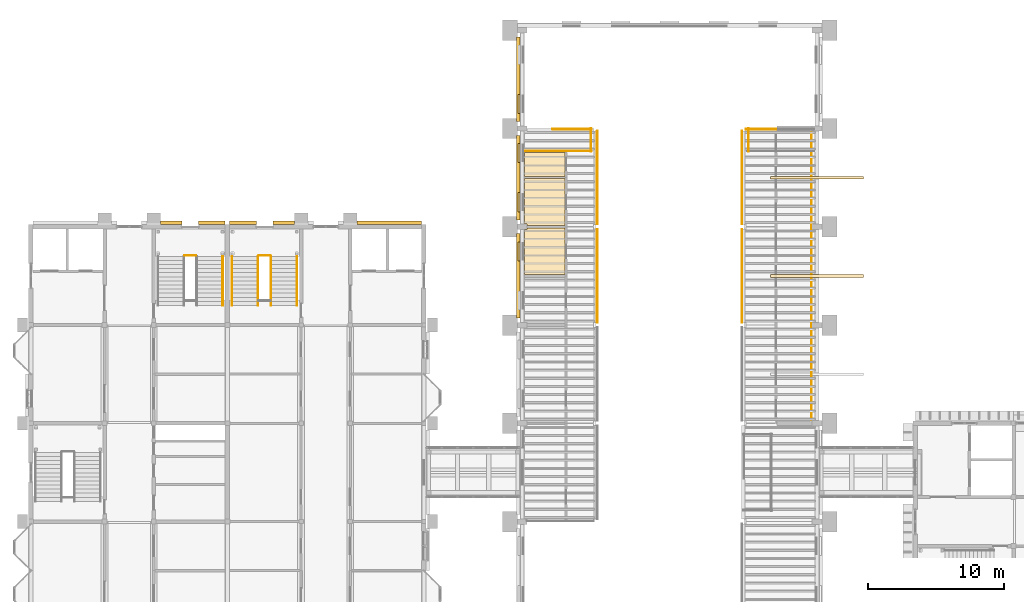
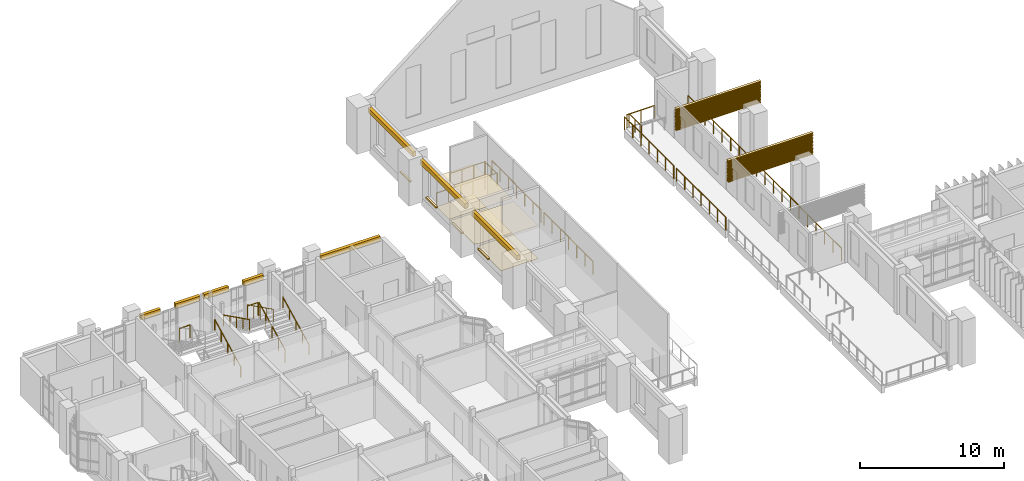
# One storey, part 61 of 69: 50 coverings, 17 railings.
"""IFC4 building model written with IfcOpenShell, lengths in metres."""

from ifc_helpers import new_model, si_unit, direction, frame, origin, origin_2d, place, context, subcontext, project, spatial, polyline, rectangle, circle, outline, extrude, material, layer, layer_set, type_object, element, save


model = new_model("IFC4")

# Units and contexts
model_context = context("Model", 3, precision=1e-05, world=origin(), true_north=direction((0.0, 1.0)))
body_context = subcontext(model_context, "Body", "Model", "MODEL_VIEW")
ifc_project = project(units=[si_unit("LENGTHUNIT", "METRE"), si_unit("AREAUNIT", "SQUARE_METRE"), si_unit("VOLUMEUNIT", "CUBIC_METRE"), si_unit("PLANEANGLEUNIT", "RADIAN"), si_unit("MASSUNIT", "GRAM", prefix="KILO")], contexts=[model_context])

# Site, building, storey
site_placement = place(None, origin())
site = spatial("IfcSite", under=ifc_project, at=site_placement, CompositionType="ELEMENT")
building_placement = place(site_placement, origin())
building = spatial("IfcBuilding", under=site, at=building_placement, Name="Mazhai Court Health Centre", CompositionType="ELEMENT")
storey_placement = place(building_placement, frame((0.0, 0.0, 6.300048828125)))
storey = spatial("IfcBuildingStorey", under=building, at=storey_placement, Name="L01", CompositionType="ELEMENT", Elevation=6.300048828125)

# Coverings
ifc_material_1 = material(Name="Clay brick masonry", Category="masonry")
ifc_layer_1 = layer(ifc_material_1, 0.25)
ifc_layer_set_1 = layer_set([ifc_layer_1], Name="BRICK BAND 250")
covering_type_1 = type_object("IfcCoveringType", Name="BRICK BAND 250", PredefinedType="MOLDING", material=ifc_layer_set_1)
covering_1_placement = place(storey_placement, frame((0.0, 0.0, 2.949951171875)))
element("IfcCovering", 1, at=covering_1_placement, inside=storey, type_object=covering_type_1, Name="EB-V2-L01-Ep1-1", PredefinedType="MOLDING", context=body_context, shape_type="SweptSolid", body=[
    extrude(outline(polyline([(15.699951171875, 42.364990234375), (17.280029296875, 42.364990234375), (17.280029296875, 42.614990234375), (15.699951171875, 42.614990234375), (15.699951171875, 42.364990234375)])), origin(), (0.0, 0.0, 1.0), 0.39990234375),
])
covering_2_placement = place(storey_placement, frame((0.0, 0.0, 2.949951171875)))
element("IfcCovering", 2, at=covering_2_placement, inside=storey, type_object=covering_type_1, Name="EB-V2-L01-Ep2-0", PredefinedType="MOLDING", context=body_context, shape_type="SweptSolid", body=[
    extrude(outline(polyline([(18.47998046875, 42.364990234375), (20.43505859375, 42.364990234375), (20.43505859375, 42.614990234375), (18.47998046875, 42.614990234375), (18.47998046875, 42.364990234375)])), origin(), (0.0, 0.0, 1.0), 0.39990234375),
])
covering_3_placement = place(storey_placement, frame((0.0, 0.0, 2.949951171875)))
element("IfcCovering", 3, at=covering_3_placement, inside=storey, type_object=covering_type_1, Name="EB-V5-L01-Ep0-0", PredefinedType="MOLDING", context=body_context, shape_type="SweptSolid", body=[
    extrude(outline(polyline([(20.764892578125, 42.364990234375), (22.719970703125, 42.364990234375), (22.719970703125, 42.614990234375), (20.764892578125, 42.614990234375), (20.764892578125, 42.364990234375)])), origin(), (0.0, 0.0, 1.0), 0.39990234375),
])
covering_4_placement = place(storey_placement, frame((0.0, 0.0, 2.949951171875)))
element("IfcCovering", 4, at=covering_4_placement, inside=storey, type_object=covering_type_1, Name="EB-V5-L01-Ep1-0", PredefinedType="MOLDING", context=body_context, shape_type="SweptSolid", body=[
    extrude(outline(polyline([(23.919921875, 42.364990234375), (25.5, 42.364990234375), (25.5, 42.614990234375), (23.919921875, 42.614990234375), (23.919921875, 42.364990234375)])), origin(), (0.0, 0.0, 1.0), 0.39990234375),
])
covering_5_placement = place(storey_placement, frame((0.0, 0.0, 2.949951171875)))
element("IfcCovering", 5, at=covering_5_placement, inside=storey, type_object=covering_type_1, Name="EB-V5-L01-Ep2-1", PredefinedType="MOLDING", context=body_context, shape_type="SweptSolid", body=[
    extrude(outline(polyline([(30.10009765625, 42.364990234375), (34.8349609375, 42.364990234375), (34.8349609375, 42.614990234375), (30.10009765625, 42.614990234375), (30.10009765625, 42.364990234375)])), origin(), (0.0, 0.0, 1.0), 0.39990234375),
])
covering_6_placement = place(storey_placement, frame((0.0, 0.0, 3.050048828125)))
element("IfcCovering", 6, at=covering_6_placement, inside=storey, type_object=covering_type_1, Name="EB-V1-L01-W3-0", PredefinedType="MOLDING", context=body_context, shape_type="SweptSolid", body=[
    extrude(outline(polyline([(42.034912109375, 35.5), (42.034912109375, 41.699951171875), (41.784912109375, 41.699951171875), (41.784912109375, 35.5), (42.034912109375, 35.5)])), origin(), (0.0, 0.0, 1.0), 0.39990234375),
])
covering_7_placement = place(storey_placement, frame((0.0, 0.0, 3.050048828125)))
element("IfcCovering", 7, at=covering_7_placement, inside=storey, type_object=covering_type_1, Name="EB-V1-L01-W4-0", PredefinedType="MOLDING", context=body_context, shape_type="SweptSolid", body=[
    extrude(outline(polyline([(42.034912109375, 42.699951171875), (42.034912109375, 48.89990234375), (41.784912109375, 48.89990234375), (41.784912109375, 42.699951171875), (42.034912109375, 42.699951171875)])), origin(), (0.0, 0.0, 1.0), 0.39990234375),
])
covering_8_placement = place(storey_placement, frame((0.0, 0.0, 3.050048828125)))
element("IfcCovering", 8, at=covering_8_placement, inside=storey, type_object=covering_type_1, Name="EB-V1-L01-W5-0", PredefinedType="MOLDING", context=body_context, shape_type="SweptSolid", body=[
    extrude(outline(polyline([(42.034912109375, 49.89990234375), (42.034912109375, 56.10009765625), (41.784912109375, 56.10009765625), (41.784912109375, 49.89990234375), (42.034912109375, 49.89990234375)])), origin(), (0.0, 0.0, 1.0), 0.39990234375),
])
ifc_material_2 = material(Name="Clay brick masonry", Category="masonry")
ifc_layer_2 = layer(ifc_material_2, 0.14990234375)
ifc_layer_set_2 = layer_set([ifc_layer_2], Name="BRICK SILL COURSE 150")
covering_type_2 = type_object("IfcCoveringType", Name="BRICK SILL COURSE 150", PredefinedType="MOLDING", material=ifc_layer_set_2)
covering_9_placement = place(storey_placement, frame((0.0, 0.0, 0.47998046875)))
element("IfcCovering", 9, at=covering_9_placement, inside=storey, type_object=covering_type_2, Name="ES-WN-V1-L01-W3b", PredefinedType="MOLDING", context=body_context, shape_type="SweptSolid", body=[
    extrude(outline(polyline([(42.034912109375, 39.699951171875), (42.034912109375, 41.10009765625), (41.885009765625, 41.10009765625), (41.885009765625, 39.699951171875), (42.034912109375, 39.699951171875)])), origin(), (0.0, 0.0, 1.0), 0.119873046875),
])
covering_10_placement = place(storey_placement, frame((0.0, 0.0, 0.47998046875)))
element("IfcCovering", 10, at=covering_10_placement, inside=storey, type_object=covering_type_2, Name="ES-WN-V1-L01-W4a", PredefinedType="MOLDING", context=body_context, shape_type="SweptSolid", body=[
    extrude(outline(polyline([(42.034912109375, 43.300048828125), (42.034912109375, 44.699951171875), (41.885009765625, 44.699951171875), (41.885009765625, 43.300048828125), (42.034912109375, 43.300048828125)])), origin(), (0.0, 0.0, 1.0), 0.119873046875),
])
covering_11_placement = place(storey_placement, frame((0.0, 0.0, 0.47998046875)))
element("IfcCovering", 11, at=covering_11_placement, inside=storey, type_object=covering_type_2, Name="ES-WN-V1-L01-W4b", PredefinedType="MOLDING", context=body_context, shape_type="SweptSolid", body=[
    extrude(outline(polyline([(42.034912109375, 46.89990234375), (42.034912109375, 48.300048828125), (41.885009765625, 48.300048828125), (41.885009765625, 46.89990234375), (42.034912109375, 46.89990234375)])), origin(), (0.0, 0.0, 1.0), 0.119873046875),
])
covering_12_placement = place(storey_placement, frame((0.0, 0.0, 0.47998046875)))
element("IfcCovering", 12, at=covering_12_placement, inside=storey, type_object=covering_type_2, Name="ES-WN-V1-L01-W5a", PredefinedType="MOLDING", context=body_context, shape_type="SweptSolid", body=[
    extrude(outline(polyline([(42.034912109375, 50.5), (42.034912109375, 51.89990234375), (41.885009765625, 51.89990234375), (41.885009765625, 50.5), (42.034912109375, 50.5)])), origin(), (0.0, 0.0, 1.0), 0.119873046875),
])
ifc_material_3 = material(Name="Gypsum plasterboard ceiling")
ifc_layer_3 = layer(ifc_material_3, 0.02001953125)
ifc_layer_set_3 = layer_set([ifc_layer_3], Name="CEILING GYPSUM BOARD 20")
covering_type_3 = type_object("IfcCoveringType", Name="CEILING GYPSUM BOARD 20", PredefinedType="CEILING", material=ifc_layer_set_3)
covering_13_placement = place(storey_placement, frame((0.0, 0.0, 2.800048828125)))
element("IfcCovering", 13, at=covering_13_placement, inside=storey, type_object=covering_type_3, Name="ceil-V1-L01-W-counselling-room-2", PredefinedType="CEILING", context=body_context, shape_type="SweptSolid", body=[
    extrude(outline(polyline([(42.56005859375, 42.10009765625), (42.56005859375, 42.0), (42.364990234375, 42.0), (42.364990234375, 38.699951171875), (45.324951171875, 38.699951171875), (45.324951171875, 42.10009765625), (42.56005859375, 42.10009765625)])), origin(), (0.0, 0.0, 1.0), 0.02001953125),
])
covering_14_placement = place(storey_placement, frame((0.0, 0.0, 2.89990234375)))
element("IfcCovering", 14, at=covering_14_placement, inside=storey, type_object=covering_type_3, Name="ceil-V1-L01-W-health-information-room", PredefinedType="CEILING", context=body_context, shape_type="SweptSolid", body=[
    extrude(outline(polyline([(42.364990234375, 42.39990234375), (42.56005859375, 42.39990234375), (42.56005859375, 42.300048828125), (45.324951171875, 42.300048828125), (45.324951171875, 45.72509765625), (42.364990234375, 45.72509765625), (42.364990234375, 42.39990234375)])), origin(), (0.0, 0.0, 1.0), 0.02001953125),
])
ifc_material_4 = material(Name="Moisture resistant gypsum ceiling")
ifc_layer_4 = layer(ifc_material_4, 0.014892578125)
ifc_layer_set_4 = layer_set([ifc_layer_4], Name="CEILING MOISTURE RESISTANT BOARD 15")
covering_type_4 = type_object("IfcCoveringType", Name="CEILING MOISTURE RESISTANT BOARD 15", PredefinedType="CEILING", material=ifc_layer_set_4)
covering_15_placement = place(storey_placement, frame((0.0, 0.0, 2.599853515625)))
element("IfcCovering", 15, at=covering_15_placement, inside=storey, type_object=covering_type_4, Name="ceil-V1-L01-W-accessible-wc-gallery", PredefinedType="CEILING", context=body_context, shape_type="SweptSolid", body=[
    extrude(outline(polyline([(45.324951171875, 45.875), (45.324951171875, 47.635009765625), (42.364990234375, 47.635009765625), (42.364990234375, 45.875), (45.324951171875, 45.875)])), origin(), (0.0, 0.0, 1.0), 0.01513671875),
])
ifc_material_5 = material(Name="Linoleum flooring")
ifc_layer_5 = layer(ifc_material_5, 0.02001953125)
ifc_layer_set_5 = layer_set([ifc_layer_5], Name="FLOOR FINISH LINOLEUM FLOORING 20")
covering_type_5 = type_object("IfcCoveringType", Name="FLOOR FINISH LINOLEUM FLOORING 20", PredefinedType="FLOORING", material=ifc_layer_set_5)
covering_16_placement = place(storey_placement, origin())
element("IfcCovering", 16, at=covering_16_placement, inside=storey, type_object=covering_type_5, Name="floor-V1-L01-W-counselling-room-2", PredefinedType="FLOORING", context=body_context, shape_type="SweptSolid", body=[
    extrude(outline(polyline([(42.56005859375, 42.10009765625), (42.56005859375, 42.0), (42.364990234375, 42.0), (42.364990234375, 38.699951171875), (45.324951171875, 38.699951171875), (45.324951171875, 42.10009765625), (42.56005859375, 42.10009765625)])), origin(), (0.0, 0.0, 1.0), 0.02001953125),
])
covering_17_placement = place(storey_placement, origin())
element("IfcCovering", 17, at=covering_17_placement, inside=storey, type_object=covering_type_5, Name="floor-V1-L01-W-health-information-room", PredefinedType="FLOORING", context=body_context, shape_type="SweptSolid", body=[
    extrude(outline(polyline([(42.364990234375, 42.39990234375), (42.56005859375, 42.39990234375), (42.56005859375, 42.300048828125), (45.324951171875, 42.300048828125), (45.324951171875, 45.72509765625), (42.364990234375, 45.72509765625), (42.364990234375, 42.39990234375)])), origin(), (0.0, 0.0, 1.0), 0.02001953125),
])
ifc_material_6 = material(Name="Porcelain tile flooring")
ifc_layer_6 = layer(ifc_material_6, 0.02490234375)
ifc_layer_set_6 = layer_set([ifc_layer_6], Name="FLOOR FINISH PORCELAIN TILE FLOORING 25")
covering_type_6 = type_object("IfcCoveringType", Name="FLOOR FINISH PORCELAIN TILE FLOORING 25", PredefinedType="FLOORING", material=ifc_layer_set_6)
covering_18_placement = place(storey_placement, origin())
element("IfcCovering", 18, at=covering_18_placement, inside=storey, type_object=covering_type_6, Name="floor-V1-L01-W-accessible-wc-gallery", PredefinedType="FLOORING", context=body_context, shape_type="SweptSolid", body=[
    extrude(outline(polyline([(45.324951171875, 45.875), (45.324951171875, 47.635009765625), (42.364990234375, 47.635009765625), (42.364990234375, 45.875), (45.324951171875, 45.875)])), origin(), (0.0, 0.0, 1.0), 0.02490234375),
])

# Railings
ifc_material_7 = material(Name="Teak timber", Category="wood")
railing_type_1 = type_object("IfcRailingType", Name="GUARD GALLERY 1100", PredefinedType="GUARDRAIL", material=ifc_material_7)
for number, where, name in (
    (19, (47.699951171875, 35.18994140625, 0.0), "GR-V1-L01-L01-W3-n0"),
    (20, (47.699951171875, 42.389892578125, 0.0), "GR-V1-L01-L01-W4-n0"),
):
    element("IfcRailing", number, at=place(storey_placement, frame(where)), inside=storey, type_object=railing_type_1, Name=name, PredefinedType="GUARDRAIL", context=body_context, shape_type="SweptSolid", body=[
        extrude(circle(Radius=0.02392578125, at=origin_2d()), frame((0.0, 0.0, 1.076171875), z_axis=(0.0, 1.0, 0.0), x_axis=(-1.0, 0.0, 0.0)), (0.0, 0.0, 1.0), 6.820068359375),
        extrude(circle(Radius=0.02099609375, at=origin_2d()), origin(), (0.0, 0.0, 1.0), 1.052001953125),
        extrude(circle(Radius=0.02099609375, at=origin_2d()), frame((0.0, 1.13671875, 0.0)), (0.0, 0.0, 1.0), 1.052001953125),
        extrude(circle(Radius=0.02099609375, at=origin_2d()), frame((0.0, 2.2734375, 0.0)), (0.0, 0.0, 1.0), 1.052001953125),
        extrude(circle(Radius=0.02099609375, at=origin_2d()), frame((0.0, 3.41015625, 0.0)), (0.0, 0.0, 1.0), 1.052001953125),
        extrude(circle(Radius=0.02099609375, at=origin_2d()), frame((0.0, 4.546630859375, 0.0)), (0.0, 0.0, 1.0), 1.052001953125),
        extrude(circle(Radius=0.02099609375, at=origin_2d()), frame((0.0, 5.683349609375, 0.0)), (0.0, 0.0, 1.0), 1.052001953125),
        extrude(circle(Radius=0.02099609375, at=origin_2d()), frame((0.0, 6.820068359375, 0.0)), (0.0, 0.0, 1.0), 1.052001953125),
    ])
for number, where, name in (
    (21, (58.300048828125, 42.010009765625, 0.0), "GR-V1-L01-L01-E3-n0"),
    (22, (58.300048828125, 49.2099609375, 0.0), "GR-V1-L01-L01-E4-n0"),
):
    element("IfcRailing", number, at=place(storey_placement, frame(where)), inside=storey, type_object=railing_type_1, Name=name, PredefinedType="GUARDRAIL", context=body_context, shape_type="SweptSolid", body=[
        extrude(circle(Radius=0.02392578125, at=origin_2d()), frame((0.0, 0.0, 1.076171875), z_axis=(0.0, -1.0, 0.0), x_axis=(1.0, 0.0, 0.0)), (0.0, 0.0, 1.0), 6.820068359375),
        extrude(circle(Radius=0.02099609375, at=origin_2d()), origin(), (0.0, 0.0, 1.0), 1.052001953125),
        extrude(circle(Radius=0.02099609375, at=origin_2d()), frame((0.0, -1.13671875, 0.0)), (0.0, 0.0, 1.0), 1.052001953125),
        extrude(circle(Radius=0.02099609375, at=origin_2d()), frame((0.0, -2.2734375, 0.0)), (0.0, 0.0, 1.0), 1.052001953125),
        extrude(circle(Radius=0.02099609375, at=origin_2d()), frame((0.0, -3.41015625, 0.0)), (0.0, 0.0, 1.0), 1.052001953125),
        extrude(circle(Radius=0.02099609375, at=origin_2d()), frame((0.0, -4.546630859375, 0.0)), (0.0, 0.0, 1.0), 1.052001953125),
        extrude(circle(Radius=0.02099609375, at=origin_2d()), frame((0.0, -5.683349609375, 0.0)), (0.0, 0.0, 1.0), 1.052001953125),
        extrude(circle(Radius=0.02099609375, at=origin_2d()), frame((0.0, -6.820068359375, 0.0)), (0.0, 0.0, 1.0), 1.052001953125),
    ])
railing_1_placement = place(storey_placement, frame((60.800048828125, 49.35009765625, 0.0)))
element("IfcRailing", 23, at=railing_1_placement, inside=storey, type_object=railing_type_1, Name="GR-V1-L01-L01-E4-e493-2", PredefinedType="GUARDRAIL", context=body_context, shape_type="SweptSolid", body=[
    extrude(circle(Radius=0.02392578125, at=origin_2d()), frame((0.0, 0.0, 1.076171875), z_axis=(-1.0, 0.0, 0.0), x_axis=(0.0, -1.0, 0.0)), (0.0, 0.0, 1.0), 2.2099609375),
    extrude(circle(Radius=0.02099609375, at=origin_2d()), origin(), (0.0, 0.0, 1.0), 1.052001953125),
    extrude(circle(Radius=0.02099609375, at=origin_2d()), frame((-1.10498046875, 0.0, 0.0)), (0.0, 0.0, 1.0), 1.052001953125),
    extrude(circle(Radius=0.02099609375, at=origin_2d()), frame((-2.2099609375, 0.0, 0.0)), (0.0, 0.0, 1.0), 1.052001953125),
])
ifc_material_8 = material(Name="Teak timber", Category="wood")
railing_type_2 = type_object("IfcRailingType", Name="GUARD LOGGIA 1100", PredefinedType="GUARDRAIL", material=ifc_material_8)
railing_2_placement = place(storey_placement, frame((63.389892578125, 27.965087890625, 0.0)))
element("IfcRailing", 24, at=railing_2_placement, inside=storey, type_object=railing_type_2, Name="GR-V1-LG", PredefinedType="GUARDRAIL", context=body_context, shape_type="SweptSolid", body=[
    extrude(circle(Radius=0.02392578125, at=origin_2d()), frame((0.0, 0.0, 1.076171875), z_axis=(0.0, 1.0, 0.0), x_axis=(-1.0, 0.0, 0.0)), (0.0, 0.0, 1.0), 21.27001953125),
    extrude(circle(Radius=0.02099609375, at=origin_2d()), origin(), (0.0, 0.0, 1.0), 1.052001953125),
    extrude(circle(Radius=0.02099609375, at=origin_2d()), frame((0.0, 1.181640625, 0.0)), (0.0, 0.0, 1.0), 1.052001953125),
    extrude(circle(Radius=0.02099609375, at=origin_2d()), frame((0.0, 2.36328125, 0.0)), (0.0, 0.0, 1.0), 1.052001953125),
    extrude(circle(Radius=0.02099609375, at=origin_2d()), frame((0.0, 3.544921875, 0.0)), (0.0, 0.0, 1.0), 1.052001953125),
    extrude(circle(Radius=0.02099609375, at=origin_2d()), frame((0.0, 4.7265625, 0.0)), (0.0, 0.0, 1.0), 1.052001953125),
    extrude(circle(Radius=0.02099609375, at=origin_2d()), frame((0.0, 5.908447265625, 0.0)), (0.0, 0.0, 1.0), 1.052001953125),
    extrude(circle(Radius=0.02099609375, at=origin_2d()), frame((0.0, 7.090087890625, 0.0)), (0.0, 0.0, 1.0), 1.052001953125),
    extrude(circle(Radius=0.02099609375, at=origin_2d()), frame((0.0, 8.271728515625, 0.0)), (0.0, 0.0, 1.0), 1.052001953125),
    extrude(circle(Radius=0.02099609375, at=origin_2d()), frame((0.0, 9.453369140625, 0.0)), (0.0, 0.0, 1.0), 1.052001953125),
    extrude(circle(Radius=0.02099609375, at=origin_2d()), frame((0.0, 10.635009765625, 0.0)), (0.0, 0.0, 1.0), 1.052001953125),
    extrude(circle(Radius=0.02099609375, at=origin_2d()), frame((0.0, 11.816650390625, 0.0)), (0.0, 0.0, 1.0), 1.052001953125),
    extrude(circle(Radius=0.02099609375, at=origin_2d()), frame((0.0, 12.998291015625, 0.0)), (0.0, 0.0, 1.0), 1.052001953125),
    extrude(circle(Radius=0.02099609375, at=origin_2d()), frame((0.0, 14.179931640625, 0.0)), (0.0, 0.0, 1.0), 1.052001953125),
    extrude(circle(Radius=0.02099609375, at=origin_2d()), frame((0.0, 15.361572265625, 0.0)), (0.0, 0.0, 1.0), 1.052001953125),
    extrude(circle(Radius=0.02099609375, at=origin_2d()), frame((0.0, 16.54345703125, 0.0)), (0.0, 0.0, 1.0), 1.052001953125),
    extrude(circle(Radius=0.02099609375, at=origin_2d()), frame((0.0, 17.72509765625, 0.0)), (0.0, 0.0, 1.0), 1.052001953125),
    extrude(circle(Radius=0.02099609375, at=origin_2d()), frame((0.0, 18.90673828125, 0.0)), (0.0, 0.0, 1.0), 1.052001953125),
    extrude(circle(Radius=0.02099609375, at=origin_2d()), frame((0.0, 20.08837890625, 0.0)), (0.0, 0.0, 1.0), 1.052001953125),
    extrude(circle(Radius=0.02099609375, at=origin_2d()), frame((0.0, 21.27001953125, 0.0)), (0.0, 0.0, 1.0), 1.052001953125),
])

# Coverings
ifc_material_9 = material(Name="Aluminium louvre", Category="aluminium")
ifc_layer_7 = layer(ifc_material_9, 0.0400390625)
ifc_layer_set_7 = layer_set([ifc_layer_7], Name="LOUVRE BLADE 200x40")
covering_type_7 = type_object("IfcCoveringType", Name="LOUVRE BLADE 200x40", PredefinedType="CLADDING", material=ifc_layer_set_7)
for number, where, z_axis, x_axis, name in (
    (25, (63.800048828125, 38.60009765625, 1.280029296875), (0.0, 0.0, 1.0), (0.0, 1.0, 0.0), "LV-V1-LG3-00"),
    (26, (63.800048828125, 38.60009765625, 1.39990234375), (0.0, 0.0, 1.0), (0.0, 1.0, 0.0), "LV-V1-LG3-01"),
    (27, (63.800048828125, 38.60009765625, 1.52001953125), (0.0, 0.0, 1.0), (0.0, 1.0, 0.0), "LV-V1-LG3-02"),
    (28, (63.800048828125, 38.60009765625, 1.639892578125), (0.0, 0.0, 1.0), (0.0, 1.0, 0.0), "LV-V1-LG3-03"),
    (29, (63.800048828125, 38.60009765625, 1.760009765625), (0.0, 0.0, 1.0), (0.0, 1.0, 0.0), "LV-V1-LG3-04"),
    (30, (63.800048828125, 38.60009765625, 1.8798828125), (0.0, 0.0, 1.0), (0.0, 1.0, 0.0), "LV-V1-LG3-05"),
    (31, (63.800048828125, 38.60009765625, 2.0), (0.0, 0.0, 1.0), (0.0, 1.0, 0.0), "LV-V1-LG3-06"),
    (32, (63.800048828125, 38.60009765625, 2.119873046875), (0.0, 0.0, 1.0), (0.0, 1.0, 0.0), "LV-V1-LG3-07"),
    (33, (63.800048828125, 38.60009765625, 2.239990234375), (0.0, 0.0, 1.0), (0.0, 1.0, 0.0), "LV-V1-LG3-08"),
    (34, (63.800048828125, 38.60009765625, 2.35986328125), (0.0, 0.0, 1.0), (0.0, 1.0, 0.0), "LV-V1-LG3-09"),
    (35, (63.800048828125, 38.60009765625, 2.47998046875), (0.0, 0.0, 1.0), (0.0, 1.0, 0.0), "LV-V1-LG3-10"),
    (36, (63.800048828125, 38.60009765625, 2.599853515625), (0.0, 0.0, 1.0), (0.0, 1.0, 0.0), "LV-V1-LG3-11"),
    (37, (63.800048828125, 38.60009765625, 2.719970703125), (0.0, 0.0, 1.0), (0.0, 1.0, 0.0), "LV-V1-LG3-12"),
    (38, (63.800048828125, 38.60009765625, 2.83984375), (0.0, 0.0, 1.0), (0.0, 1.0, 0.0), "LV-V1-LG3-13"),
    (39, (63.800048828125, 38.60009765625, 2.9599609375), (0.0, 0.0, 1.0), (0.0, 1.0, 0.0), "LV-V1-LG3-14"),
    (40, (63.800048828125, 38.60009765625, 3.079833984375), (0.0, 0.0, 1.0), (0.0, 1.0, 0.0), "LV-V1-LG3-15"),
    (41, (63.800048828125, 45.800048828125, 1.280029296875), (0.0, 0.0, 1.0), (0.0, 1.0, 0.0), "LV-V1-LG4-00"),
    (42, (63.800048828125, 45.800048828125, 1.39990234375), (0.0, 0.0, 1.0), (0.0, 1.0, 0.0), "LV-V1-LG4-01"),
    (43, (63.800048828125, 45.800048828125, 1.52001953125), (0.0, 0.0, 1.0), (0.0, 1.0, 0.0), "LV-V1-LG4-02"),
    (44, (63.800048828125, 45.800048828125, 1.639892578125), (0.0, 0.0, 1.0), (0.0, 1.0, 0.0), "LV-V1-LG4-03"),
    (45, (63.800048828125, 45.800048828125, 1.760009765625), (0.0, 0.0, 1.0), (0.0, 1.0, 0.0), "LV-V1-LG4-04"),
    (46, (63.800048828125, 45.800048828125, 1.8798828125), (0.0, 0.0, 1.0), (0.0, 1.0, 0.0), "LV-V1-LG4-05"),
    (47, (63.800048828125, 45.800048828125, 2.0), (0.0, 0.0, 1.0), (0.0, 1.0, 0.0), "LV-V1-LG4-06"),
    (48, (63.800048828125, 45.800048828125, 2.119873046875), (0.0, 0.0, 1.0), (0.0, 1.0, 0.0), "LV-V1-LG4-07"),
    (49, (63.800048828125, 45.800048828125, 2.239990234375), (0.0, 0.0, 1.0), (0.0, 1.0, 0.0), "LV-V1-LG4-08"),
    (50, (63.800048828125, 45.800048828125, 2.35986328125), (0.0, 0.0, 1.0), (0.0, 1.0, 0.0), "LV-V1-LG4-09"),
    (51, (63.800048828125, 45.800048828125, 2.47998046875), (0.0, 0.0, 1.0), (0.0, 1.0, 0.0), "LV-V1-LG4-10"),
    (52, (63.800048828125, 45.800048828125, 2.599853515625), (0.0, 0.0, 1.0), (0.0, 1.0, 0.0), "LV-V1-LG4-11"),
    (53, (63.800048828125, 45.800048828125, 2.719970703125), (0.0, 0.0, 1.0), (0.0, 1.0, 0.0), "LV-V1-LG4-12"),
    (54, (63.800048828125, 45.800048828125, 2.83984375), (0.0, 0.0, 1.0), (0.0, 1.0, 0.0), "LV-V1-LG4-13"),
    (55, (63.800048828125, 45.800048828125, 2.9599609375), (0.0, 0.0, 1.0), (0.0, 1.0, 0.0), "LV-V1-LG4-14"),
    (56, (63.800048828125, 45.800048828125, 3.079833984375), (0.0, 0.0, 1.0), (0.0, 1.0, 0.0), "LV-V1-LG4-15"),
):
    element("IfcCovering", number, at=place(storey_placement, frame(where, z_axis=z_axis, x_axis=x_axis)), inside=storey, type_object=covering_type_7, Name=name, PredefinedType="CLADDING", context=body_context, shape_type="SweptSolid", body=[
        extrude(rectangle(XDim=0.199951171875, YDim=6.800048828125, at=origin_2d()), origin(), (0.0, 0.0, 1.0), 0.0400390625),
    ])

# Railings
ifc_material_10 = material(Name="Steel IS 2062 E250", Category="steel")
railing_type_3 = type_object("IfcRailingType", Name="STAIR GUARD 1100", PredefinedType="GUARDRAIL", material=ifc_material_10)
railing_3_placement = place(storey_placement, frame((18.304931640625, 40.0849609375, 1.949951171875)))
element("IfcRailing", 57, at=railing_3_placement, inside=storey, type_object=railing_type_3, Name="L01 ST3 stair guard 2", PredefinedType="GUARDRAIL", context=body_context, shape_type="SweptSolid", body=[
    extrude(circle(Radius=0.02392578125, at=origin_2d()), frame((0.0, 0.0, 1.076171875), z_axis=(-1.0, 0.0, 0.0), x_axis=(0.0, -1.0, 0.0)), (0.0, 0.0, 1.0), 0.849853515625),
    extrude(circle(Radius=0.02099609375, at=origin_2d()), origin(), (0.0, 0.0, 1.0), 1.052001953125),
    extrude(circle(Radius=0.02099609375, at=origin_2d()), frame((-0.849853515625, 0.0, 0.0)), (0.0, 0.0, 1.0), 1.052001953125),
])
railing_4_placement = place(storey_placement, frame((23.794921875, 36.43505859375, 0.14990234375)))
element("IfcRailing", 58, at=railing_4_placement, inside=storey, type_object=railing_type_3, Name="L01 ST5 stair guard 1", PredefinedType="GUARDRAIL", context=body_context, shape_type="SweptSolid", body=[
    extrude(circle(Radius=0.02392578125, at=origin_2d()), frame((0.0, 0.0, 1.076171875), z_axis=(0.0, 0.894415058897, 0.447237858884), x_axis=(-1.0, 0.0, 0.0)), (0.0, 0.0, 1.0), 4.02490234375),
    extrude(circle(Radius=0.02099609375, at=origin_2d()), origin(), (0.0, 0.0, 1.0), 1.052001953125),
    extrude(circle(Radius=0.02099609375, at=origin_2d()), frame((0.0, 0.89990234375, 0.449951171875)), (0.0, 0.0, 1.0), 1.052001953125),
    extrude(circle(Radius=0.02099609375, at=origin_2d()), frame((0.0, 1.7998046875, 0.89990234375)), (0.0, 0.0, 1.0), 1.052001953125),
    extrude(circle(Radius=0.02099609375, at=origin_2d()), frame((0.0, 2.699951171875, 1.35009765625)), (0.0, 0.0, 1.0), 1.052001953125),
    extrude(circle(Radius=0.02099609375, at=origin_2d()), frame((0.0, 3.599853515625, 1.800048828125)), (0.0, 0.0, 1.0), 1.052001953125),
])
railing_5_placement = place(storey_placement, frame((23.7451171875, 40.0849609375, 1.949951171875)))
element("IfcRailing", 59, at=railing_5_placement, inside=storey, type_object=railing_type_3, Name="L01 ST5 stair guard 2", PredefinedType="GUARDRAIL", context=body_context, shape_type="SweptSolid", body=[
    extrude(circle(Radius=0.02392578125, at=origin_2d()), frame((0.0, 0.0, 1.076171875), z_axis=(-1.0, 0.0, 0.0), x_axis=(0.0, -1.0, 0.0)), (0.0, 0.0, 1.0), 0.85009765625),
    extrude(circle(Radius=0.02099609375, at=origin_2d()), origin(), (0.0, 0.0, 1.0), 1.052001953125),
    extrude(circle(Radius=0.02099609375, at=origin_2d()), frame((-0.85009765625, 0.0, 0.0)), (0.0, 0.0, 1.0), 1.052001953125),
])
railing_6_placement = place(storey_placement, frame((22.844970703125, 40.034912109375, 2.099853515625)))
element("IfcRailing", 60, at=railing_6_placement, inside=storey, type_object=railing_type_3, Name="L01 ST5 stair guard 3", PredefinedType="GUARDRAIL", context=body_context, shape_type="SweptSolid", body=[
    extrude(circle(Radius=0.02392578125, at=origin_2d()), frame((0.0, 0.0, 1.076171875), z_axis=(0.0, -0.894415058897, 0.447237858884), x_axis=(1.0, 0.0, 0.0)), (0.0, 0.0, 1.0), 4.02490234375),
    extrude(circle(Radius=0.02099609375, at=origin_2d()), origin(), (0.0, 0.0, 1.0), 1.052001953125),
    extrude(circle(Radius=0.02099609375, at=origin_2d()), frame((0.0, -0.89990234375, 0.449951171875)), (0.0, 0.0, 1.0), 1.052001953125),
    extrude(circle(Radius=0.02099609375, at=origin_2d()), frame((0.0, -1.7998046875, 0.89990234375)), (0.0, 0.0, 1.0), 1.052001953125),
    extrude(circle(Radius=0.02099609375, at=origin_2d()), frame((0.0, -2.699951171875, 1.35009765625)), (0.0, 0.0, 1.0), 1.052001953125),
    extrude(circle(Radius=0.02099609375, at=origin_2d()), frame((0.0, -3.599853515625, 1.800048828125)), (0.0, 0.0, 1.0), 1.052001953125),
])
railing_7_placement = place(storey_placement, frame((47.282470703125, 49.35009765625, 0.0)))
element("IfcRailing", 61, at=railing_7_placement, inside=storey, type_object=railing_type_3, Name="L01 ST11 top well guard 1", PredefinedType="GUARDRAIL", context=body_context, shape_type="SweptSolid", body=[
    extrude(circle(Radius=0.02392578125, at=origin_2d()), frame((0.0, 0.0, 1.076171875), z_axis=(-1.0, 0.0, 0.0), x_axis=(0.0, -1.0, 0.0)), (0.0, 0.0, 1.0), 2.849853515625),
    extrude(circle(Radius=0.02099609375, at=origin_2d()), origin(), (0.0, 0.0, 1.0), 1.052001953125),
    extrude(circle(Radius=0.02099609375, at=origin_2d()), frame((-0.949951171875, 0.0, 0.0)), (0.0, 0.0, 1.0), 1.052001953125),
    extrude(circle(Radius=0.02099609375, at=origin_2d()), frame((-1.89990234375, 0.0, 0.0)), (0.0, 0.0, 1.0), 1.052001953125),
    extrude(circle(Radius=0.02099609375, at=origin_2d()), frame((-2.849853515625, 0.0, 0.0)), (0.0, 0.0, 1.0), 1.052001953125),
])
railing_8_placement = place(storey_placement, frame((47.232421875, 47.699951171875, 0.0)))
element("IfcRailing", 62, at=railing_8_placement, inside=storey, type_object=railing_type_3, Name="L01 ST11 top well guard 2", PredefinedType="GUARDRAIL", context=body_context, shape_type="SweptSolid", body=[
    extrude(circle(Radius=0.02392578125, at=origin_2d()), frame((0.0, 0.0, 1.076171875), z_axis=(0.0, 1.0, 0.0), x_axis=(-1.0, 0.0, 0.0)), (0.0, 0.0, 1.0), 1.699951171875),
    extrude(circle(Radius=0.02099609375, at=origin_2d()), origin(), (0.0, 0.0, 1.0), 1.052001953125),
    extrude(circle(Radius=0.02099609375, at=origin_2d()), frame((0.0, 0.85009765625, 0.0)), (0.0, 0.0, 1.0), 1.052001953125),
    extrude(circle(Radius=0.02099609375, at=origin_2d()), frame((0.0, 1.699951171875, 0.0)), (0.0, 0.0, 1.0), 1.052001953125),
])
railing_9_placement = place(storey_placement, frame((47.282470703125, 47.75, 0.0)))
element("IfcRailing", 63, at=railing_9_placement, inside=storey, type_object=railing_type_3, Name="L01 ST11 top well guard 3", PredefinedType="GUARDRAIL", context=body_context, shape_type="SweptSolid", body=[
    extrude(circle(Radius=0.02392578125, at=origin_2d()), frame((0.0, 0.0, 1.076171875), z_axis=(-1.0, 0.0, 0.0), x_axis=(0.0, -1.0, 0.0)), (0.0, 0.0, 1.0), 4.849853515625),
    extrude(circle(Radius=0.02099609375, at=origin_2d()), origin(), (0.0, 0.0, 1.0), 1.052001953125),
    extrude(circle(Radius=0.02099609375, at=origin_2d()), frame((-0.969970703125, 0.0, 0.0)), (0.0, 0.0, 1.0), 1.052001953125),
    extrude(circle(Radius=0.02099609375, at=origin_2d()), frame((-1.93994140625, 0.0, 0.0)), (0.0, 0.0, 1.0), 1.052001953125),
    extrude(circle(Radius=0.02099609375, at=origin_2d()), frame((-2.909912109375, 0.0, 0.0)), (0.0, 0.0, 1.0), 1.052001953125),
    extrude(circle(Radius=0.02099609375, at=origin_2d()), frame((-3.8798828125, 0.0, 0.0)), (0.0, 0.0, 1.0), 1.052001953125),
    extrude(circle(Radius=0.02099609375, at=origin_2d()), frame((-4.849853515625, 0.0, 0.0)), (0.0, 0.0, 1.0), 1.052001953125),
])
railing_10_placement = place(storey_placement, frame((58.767578125, 47.699951171875, 0.0)))
element("IfcRailing", 64, at=railing_10_placement, inside=storey, type_object=railing_type_3, Name="L01 ST12 top well guard 2", PredefinedType="GUARDRAIL", context=body_context, shape_type="SweptSolid", body=[
    extrude(circle(Radius=0.02392578125, at=origin_2d()), frame((0.0, 0.0, 1.076171875), z_axis=(0.0, 1.0, 0.0), x_axis=(-1.0, 0.0, 0.0)), (0.0, 0.0, 1.0), 1.699951171875),
    extrude(circle(Radius=0.02099609375, at=origin_2d()), origin(), (0.0, 0.0, 1.0), 1.052001953125),
    extrude(circle(Radius=0.02099609375, at=origin_2d()), frame((0.0, 0.85009765625, 0.0)), (0.0, 0.0, 1.0), 1.052001953125),
    extrude(circle(Radius=0.02099609375, at=origin_2d()), frame((0.0, 1.699951171875, 0.0)), (0.0, 0.0, 1.0), 1.052001953125),
])
ifc_material_11 = material(Name="Steel IS 2062 E250", Category="steel")
railing_type_4 = type_object("IfcRailingType", Name="STAIR HANDRAIL 900", PredefinedType="HANDRAIL", material=ifc_material_11)
for number, where, name in (
    (65, (20.2548828125, 36.43505859375, 0.14990234375), "L01 ST3 stair handrail 1"),
    (66, (25.695068359375, 36.43505859375, 0.14990234375), "L01 ST5 stair handrail 1"),
):
    element("IfcRailing", number, at=place(storey_placement, frame(where)), inside=storey, type_object=railing_type_4, Name=name, PredefinedType="HANDRAIL", context=body_context, shape_type="SweptSolid", body=[
        extrude(circle(Radius=0.02392578125, at=origin_2d()), frame((0.0, 0.0, 0.8759765625), z_axis=(0.0, 0.894415058897, 0.447237858884), x_axis=(-1.0, 0.0, 0.0)), (0.0, 0.0, 1.0), 4.02490234375),
        extrude(circle(Radius=0.02099609375, at=origin_2d()), origin(), (0.0, 0.0, 1.0), 0.851806640625),
        extrude(circle(Radius=0.02099609375, at=origin_2d()), frame((0.0, 0.89990234375, 0.449951171875)), (0.0, 0.0, 1.0), 0.851806640625),
        extrude(circle(Radius=0.02099609375, at=origin_2d()), frame((0.0, 1.7998046875, 0.89990234375)), (0.0, 0.0, 1.0), 0.851806640625),
        extrude(circle(Radius=0.02099609375, at=origin_2d()), frame((0.0, 2.699951171875, 1.35009765625)), (0.0, 0.0, 1.0), 0.851806640625),
        extrude(circle(Radius=0.02099609375, at=origin_2d()), frame((0.0, 3.599853515625, 1.800048828125)), (0.0, 0.0, 1.0), 0.851806640625),
    ])
railing_11_placement = place(storey_placement, frame((20.945068359375, 40.034912109375, 2.099853515625)))
element("IfcRailing", 67, at=railing_11_placement, inside=storey, type_object=railing_type_4, Name="L01 ST5 stair handrail 2", PredefinedType="HANDRAIL", context=body_context, shape_type="SweptSolid", body=[
    extrude(circle(Radius=0.02392578125, at=origin_2d()), frame((0.0, 0.0, 0.8759765625), z_axis=(0.0, -0.894415058897, 0.447237858884), x_axis=(1.0, 0.0, 0.0)), (0.0, 0.0, 1.0), 4.02490234375),
    extrude(circle(Radius=0.02099609375, at=origin_2d()), origin(), (0.0, 0.0, 1.0), 0.851806640625),
    extrude(circle(Radius=0.02099609375, at=origin_2d()), frame((0.0, -0.89990234375, 0.449951171875)), (0.0, 0.0, 1.0), 0.851806640625),
    extrude(circle(Radius=0.02099609375, at=origin_2d()), frame((0.0, -1.7998046875, 0.89990234375)), (0.0, 0.0, 1.0), 0.851806640625),
    extrude(circle(Radius=0.02099609375, at=origin_2d()), frame((0.0, -2.699951171875, 1.35009765625)), (0.0, 0.0, 1.0), 0.851806640625),
    extrude(circle(Radius=0.02099609375, at=origin_2d()), frame((0.0, -3.599853515625, 1.800048828125)), (0.0, 0.0, 1.0), 0.851806640625),
])

save(model, "model.ifc")
